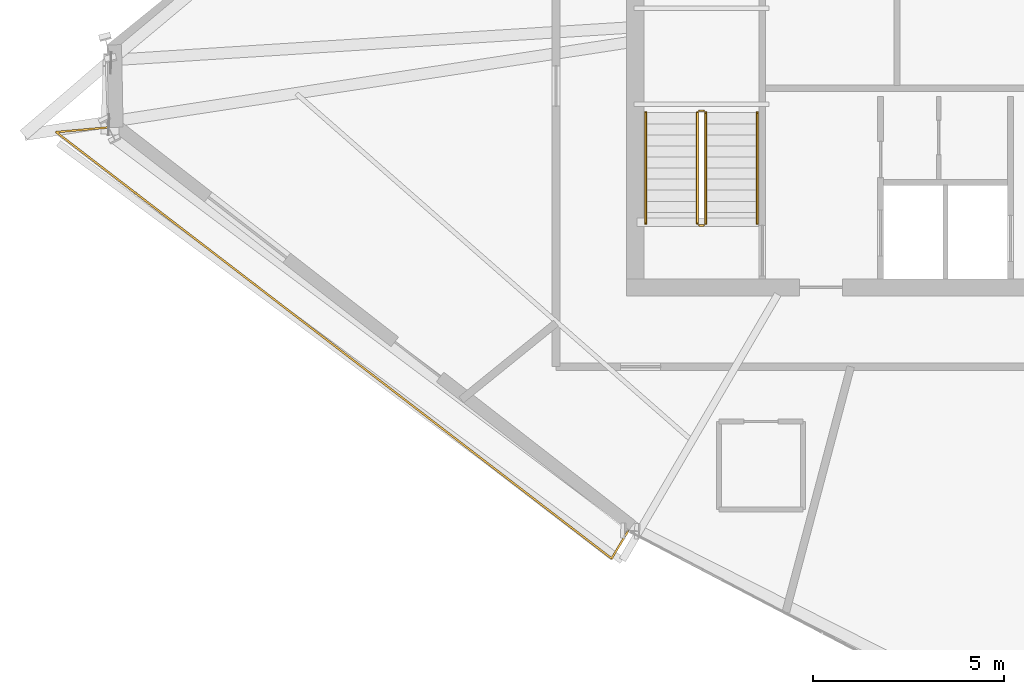
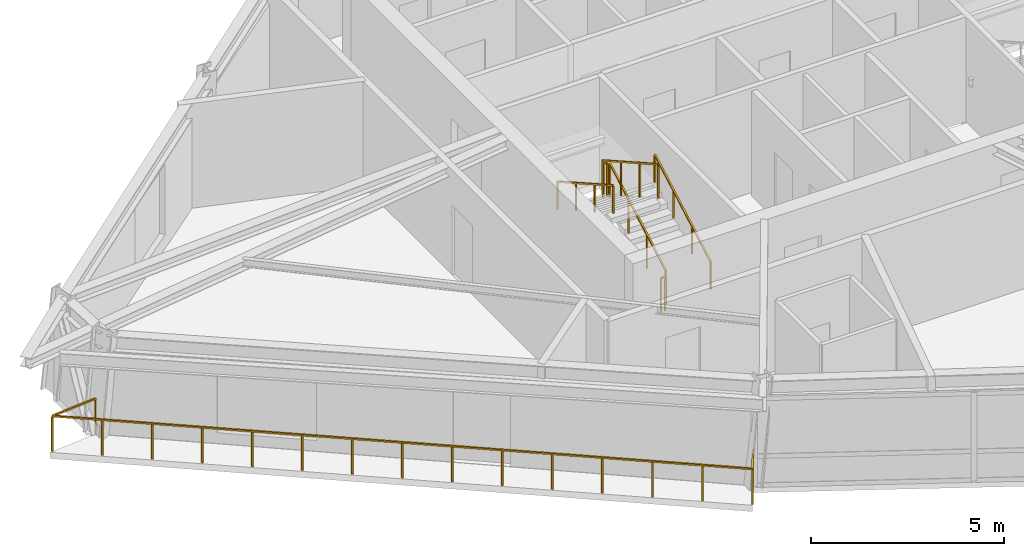
# One storey, part 12 of 14: 7 railings.
"""IFC4 building model written with IfcOpenShell, lengths in metres."""

from ifc_helpers import new_model, si_unit, direction, frame, origin, origin_2d, place, context, subcontext, project, spatial, rectangle, extrude, material, type_object, element, save


model = new_model("IFC4")

# Units and contexts
model_context = context("Model", 3, precision=1e-05, world=origin(), true_north=direction((0.0, 1.0)))
body_context = subcontext(model_context, "Body", "Model", "MODEL_VIEW")
ifc_project = project(units=[si_unit("LENGTHUNIT", "METRE"), si_unit("AREAUNIT", "SQUARE_METRE"), si_unit("VOLUMEUNIT", "CUBIC_METRE"), si_unit("PLANEANGLEUNIT", "RADIAN"), si_unit("MASSUNIT", "GRAM", prefix="KILO")], contexts=[model_context])

# Site, building, storey
site_placement = place(None, origin())
site = spatial("IfcSite", under=ifc_project, at=site_placement, CompositionType="ELEMENT")
building_placement = place(site_placement, origin())
building = spatial("IfcBuilding", under=site, at=building_placement, Name="Olszyna Solenne Hotel", CompositionType="ELEMENT")
storey_placement = place(building_placement, frame((0.0, 0.0, 274.10009765625)))
storey = spatial("IfcBuildingStorey", under=building, at=storey_placement, Name="L73", CompositionType="ELEMENT", Elevation=274.10009765625)

# Railings
ifc_material_1 = material(Name="Anodised bronze aluminium", Category="aluminium")
railing_type_1 = type_object("IfcRailingType", Name="GR-110", PredefinedType="BALUSTRADE", material=ifc_material_1)
railing_1_placement = place(storey_placement, frame((16.08447265625, 23.4638671875, 0.0)))
element("IfcRailing", 1, at=railing_1_placement, inside=storey, type_object=railing_type_1, Name="Loggia balcony balustrade guard GR-L73-LG2", PredefinedType="BALUSTRADE", context=body_context, shape_type="SweptSolid", body=[
    extrude(rectangle(XDim=0.048095703125, YDim=0.048095703125, at=origin_2d()), frame((0.0, 0.0, 1.1259765625), z_axis=(-0.996106566708, -0.088157289892, 0.0), x_axis=(0.088157289892, -0.996106566708, 0.0)), (0.0, 0.0, 1.0), 1.379150390625),
    extrude(rectangle(XDim=0.048095703125, YDim=0.048095703125, at=origin_2d()), frame((-1.373779296875, -0.12158203125, 1.1259765625), z_axis=(0.79321808772, -0.608937653059, 0.0), x_axis=(0.608937653059, 0.79321808772, 0.0)), (0.0, 0.0, 1.0), 18.335693359375),
    extrude(rectangle(XDim=0.048095703125, YDim=0.048095703125, at=origin_2d()), frame((13.17041015625, -11.286865234375, 1.1259765625), z_axis=(0.51623454582, 0.856447250975, 0.0), x_axis=(-0.856447250975, 0.51623454582, 0.0)), (0.0, 0.0, 1.0), 0.845947265625),
    extrude(rectangle(XDim=0.0419921875, YDim=0.0419921875, at=origin_2d()), origin(), (0.0, 0.0, 1.0), 1.101806640625),
    extrude(rectangle(XDim=0.0419921875, YDim=0.0419921875, at=origin_2d()), frame((-1.373779296875, -0.12158203125, 0.0)), (0.0, 0.0, 1.0), 1.101806640625),
    extrude(rectangle(XDim=0.0419921875, YDim=0.0419921875, at=origin_2d()), frame((-0.3349609375, -0.919189453125, 0.0)), (0.0, 0.0, 1.0), 1.101806640625),
    extrude(rectangle(XDim=0.0419921875, YDim=0.0419921875, at=origin_2d()), frame((0.703857421875, -1.716552734375, 0.0)), (0.0, 0.0, 1.0), 1.101806640625),
    extrude(rectangle(XDim=0.0419921875, YDim=0.0419921875, at=origin_2d()), frame((1.742919921875, -2.51416015625, 0.0)), (0.0, 0.0, 1.0), 1.101806640625),
    extrude(rectangle(XDim=0.0419921875, YDim=0.0419921875, at=origin_2d()), frame((2.78173828125, -3.311767578125, 0.0)), (0.0, 0.0, 1.0), 1.101806640625),
    extrude(rectangle(XDim=0.0419921875, YDim=0.0419921875, at=origin_2d()), frame((3.820556640625, -4.109130859375, 0.0)), (0.0, 0.0, 1.0), 1.101806640625),
    extrude(rectangle(XDim=0.0419921875, YDim=0.0419921875, at=origin_2d()), frame((4.859375, -4.90673828125, 0.0)), (0.0, 0.0, 1.0), 1.101806640625),
    extrude(rectangle(XDim=0.0419921875, YDim=0.0419921875, at=origin_2d()), frame((5.8984375, -5.7041015625, 0.0)), (0.0, 0.0, 1.0), 1.101806640625),
    extrude(rectangle(XDim=0.0419921875, YDim=0.0419921875, at=origin_2d()), frame((6.937255859375, -6.501708984375, 0.0)), (0.0, 0.0, 1.0), 1.101806640625),
    extrude(rectangle(XDim=0.0419921875, YDim=0.0419921875, at=origin_2d()), frame((7.97607421875, -7.29931640625, 0.0)), (0.0, 0.0, 1.0), 1.101806640625),
    extrude(rectangle(XDim=0.0419921875, YDim=0.0419921875, at=origin_2d()), frame((9.014892578125, -8.0966796875, 0.0)), (0.0, 0.0, 1.0), 1.101806640625),
    extrude(rectangle(XDim=0.0419921875, YDim=0.0419921875, at=origin_2d()), frame((10.0537109375, -8.894287109375, 0.0)), (0.0, 0.0, 1.0), 1.101806640625),
    extrude(rectangle(XDim=0.0419921875, YDim=0.0419921875, at=origin_2d()), frame((11.0927734375, -9.69189453125, 0.0)), (0.0, 0.0, 1.0), 1.101806640625),
    extrude(rectangle(XDim=0.0419921875, YDim=0.0419921875, at=origin_2d()), frame((12.131591796875, -10.4892578125, 0.0)), (0.0, 0.0, 1.0), 1.101806640625),
    extrude(rectangle(XDim=0.0419921875, YDim=0.0419921875, at=origin_2d()), frame((13.17041015625, -11.286865234375, 0.0)), (0.0, 0.0, 1.0), 1.101806640625),
    extrude(rectangle(XDim=0.0419921875, YDim=0.0419921875, at=origin_2d()), frame((13.607177734375, -10.562255859375, 0.0)), (0.0, 0.0, 1.0), 1.101806640625),
])
railing_2_placement = place(storey_placement, frame((31.719970703125, 20.949951171875, 0.16357421875)))
element("IfcRailing", 2, at=railing_2_placement, inside=storey, type_object=railing_type_1, Name="L73 ST1 stair guard 1", PredefinedType="BALUSTRADE", context=body_context, shape_type="SweptSolid", body=[
    extrude(rectangle(XDim=0.048095703125, YDim=0.048095703125, at=origin_2d()), frame((0.0, 0.0, 1.076171875), z_axis=(0.0, 0.870946286338, 0.49137823142), x_axis=(-1.0, 0.0, 0.0)), (0.0, 0.0, 1.0), 3.329833984375),
    extrude(rectangle(XDim=0.0419921875, YDim=0.0419921875, at=origin_2d()), origin(), (0.0, 0.0, 1.0), 1.052001953125),
    extrude(rectangle(XDim=0.0419921875, YDim=0.0419921875, at=origin_2d()), frame((0.0, 0.966796875, 0.54541015625)), (0.0, 0.0, 1.0), 1.052001953125),
    extrude(rectangle(XDim=0.0419921875, YDim=0.0419921875, at=origin_2d()), frame((0.0, 1.933349609375, 1.0908203125)), (0.0, 0.0, 1.0), 1.052001953125),
    extrude(rectangle(XDim=0.0419921875, YDim=0.0419921875, at=origin_2d()), frame((0.0, 2.900146484375, 1.63623046875)), (0.0, 0.0, 1.0), 1.052001953125),
])
railing_3_placement = place(storey_placement, frame((31.669921875, 23.89990234375, 1.7998046875)))
element("IfcRailing", 3, at=railing_3_placement, inside=storey, type_object=railing_type_1, Name="L73 ST1 stair guard 2", PredefinedType="BALUSTRADE", context=body_context, shape_type="SweptSolid", body=[
    extrude(rectangle(XDim=0.048095703125, YDim=0.048095703125, at=origin_2d()), frame((0.0, 0.0, 1.076171875), z_axis=(-1.0, 0.0, 0.0), x_axis=(0.0, -1.0, 0.0)), (0.0, 0.0, 1.0), 0.119873046875),
    extrude(rectangle(XDim=0.0419921875, YDim=0.0419921875, at=origin_2d()), origin(), (0.0, 0.0, 1.0), 1.052001953125),
    extrude(rectangle(XDim=0.0419921875, YDim=0.0419921875, at=origin_2d()), frame((-0.119873046875, 0.0, 0.0)), (0.0, 0.0, 1.0), 1.052001953125),
])
railing_4_placement = place(storey_placement, frame((31.5, 23.85009765625, 1.963623046875)))
element("IfcRailing", 4, at=railing_4_placement, inside=storey, type_object=railing_type_1, Name="L73 ST1 stair guard 3", PredefinedType="BALUSTRADE", context=body_context, shape_type="SweptSolid", body=[
    extrude(rectangle(XDim=0.048095703125, YDim=0.048095703125, at=origin_2d()), frame((0.0, 0.0, 1.076171875), z_axis=(0.0, -0.870946286338, 0.49137823142), x_axis=(1.0, 0.0, 0.0)), (0.0, 0.0, 1.0), 3.329833984375),
    extrude(rectangle(XDim=0.0419921875, YDim=0.0419921875, at=origin_2d()), origin(), (0.0, 0.0, 1.0), 1.052001953125),
    extrude(rectangle(XDim=0.0419921875, YDim=0.0419921875, at=origin_2d()), frame((0.0, -0.966796875, 0.54541015625)), (0.0, 0.0, 1.0), 1.052001953125),
    extrude(rectangle(XDim=0.0419921875, YDim=0.0419921875, at=origin_2d()), frame((0.0, -1.933349609375, 1.0908203125)), (0.0, 0.0, 1.0), 1.052001953125),
    extrude(rectangle(XDim=0.0419921875, YDim=0.0419921875, at=origin_2d()), frame((0.0, -2.900146484375, 1.63623046875)), (0.0, 0.0, 1.0), 1.052001953125),
])
railing_5_placement = place(storey_placement, frame((31.669921875, 20.89990234375, 0.0)))
element("IfcRailing", 5, at=railing_5_placement, inside=storey, type_object=railing_type_1, Name="L73 ST1 stair guard 4", PredefinedType="BALUSTRADE", context=body_context, shape_type="SweptSolid", body=[
    extrude(rectangle(XDim=0.048095703125, YDim=0.048095703125, at=origin_2d()), frame((0.0, 0.0, 1.076171875), z_axis=(-1.0, 0.0, 0.0), x_axis=(0.0, -1.0, 0.0)), (0.0, 0.0, 1.0), 0.119873046875),
    extrude(rectangle(XDim=0.0419921875, YDim=0.0419921875, at=origin_2d()), origin(), (0.0, 0.0, 1.0), 1.052001953125),
    extrude(rectangle(XDim=0.0419921875, YDim=0.0419921875, at=origin_2d()), frame((-0.119873046875, 0.0, 0.0)), (0.0, 0.0, 1.0), 1.052001953125),
])
ifc_material_2 = material(Name="Steel S355J2", Category="steel")
railing_type_2 = type_object("IfcRailingType", Name="HR-090", PredefinedType="HANDRAIL", material=ifc_material_2)
railing_6_placement = place(storey_placement, frame((33.070068359375, 20.949951171875, 0.16357421875)))
element("IfcRailing", 6, at=railing_6_placement, inside=storey, type_object=railing_type_2, Name="L73 ST1 stair handrail 1", PredefinedType="HANDRAIL", context=body_context, shape_type="SweptSolid", body=[
    extrude(rectangle(XDim=0.048095703125, YDim=0.048095703125, at=origin_2d()), frame((0.0, 0.0, 0.8759765625), z_axis=(0.0, 0.870946286338, 0.49137823142), x_axis=(-1.0, 0.0, 0.0)), (0.0, 0.0, 1.0), 3.329833984375),
    extrude(rectangle(XDim=0.0419921875, YDim=0.0419921875, at=origin_2d()), origin(), (0.0, 0.0, 1.0), 0.851806640625),
    extrude(rectangle(XDim=0.0419921875, YDim=0.0419921875, at=origin_2d()), frame((0.0, 0.966796875, 0.54541015625)), (0.0, 0.0, 1.0), 0.851806640625),
    extrude(rectangle(XDim=0.0419921875, YDim=0.0419921875, at=origin_2d()), frame((0.0, 1.933349609375, 1.0908203125)), (0.0, 0.0, 1.0), 0.851806640625),
    extrude(rectangle(XDim=0.0419921875, YDim=0.0419921875, at=origin_2d()), frame((0.0, 2.900146484375, 1.63623046875)), (0.0, 0.0, 1.0), 0.851806640625),
])
railing_7_placement = place(storey_placement, frame((30.14990234375, 23.85009765625, 1.963623046875)))
element("IfcRailing", 7, at=railing_7_placement, inside=storey, type_object=railing_type_2, Name="L73 ST1 stair handrail 2", PredefinedType="HANDRAIL", context=body_context, shape_type="SweptSolid", body=[
    extrude(rectangle(XDim=0.048095703125, YDim=0.048095703125, at=origin_2d()), frame((0.0, 0.0, 0.8759765625), z_axis=(0.0, -0.870946286338, 0.49137823142), x_axis=(1.0, 0.0, 0.0)), (0.0, 0.0, 1.0), 3.329833984375),
    extrude(rectangle(XDim=0.0419921875, YDim=0.0419921875, at=origin_2d()), origin(), (0.0, 0.0, 1.0), 0.851806640625),
    extrude(rectangle(XDim=0.0419921875, YDim=0.0419921875, at=origin_2d()), frame((0.0, -0.966796875, 0.54541015625)), (0.0, 0.0, 1.0), 0.851806640625),
    extrude(rectangle(XDim=0.0419921875, YDim=0.0419921875, at=origin_2d()), frame((0.0, -1.933349609375, 1.0908203125)), (0.0, 0.0, 1.0), 0.851806640625),
    extrude(rectangle(XDim=0.0419921875, YDim=0.0419921875, at=origin_2d()), frame((0.0, -2.900146484375, 1.63623046875)), (0.0, 0.0, 1.0), 0.851806640625),
])

save(model, "model.ifc")
